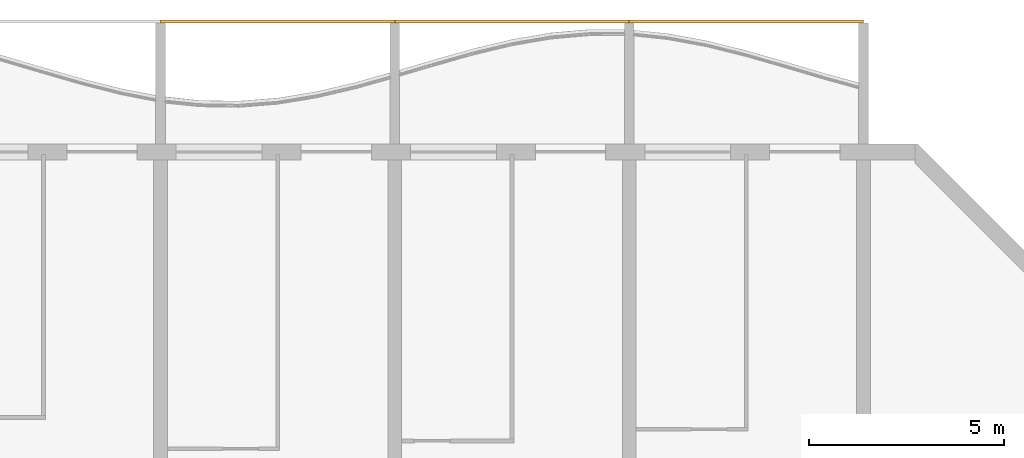
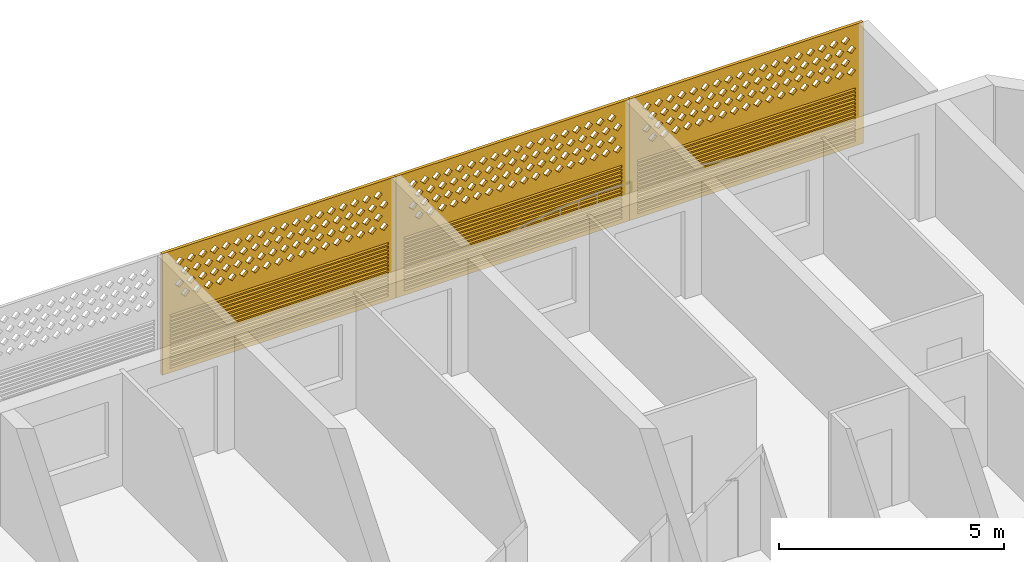
# One storey, part 26 of 26: 3 coverings.
"""IFC4 building model written with IfcOpenShell, lengths in metres."""

import ifcopenshell
import ifcopenshell.guid

model = None  # the IFC model being written
_history = None  # IfcOwnerHistory: only IFC2X3 demands one
_inside = {}  # id of a spatial element -> (the spatial element, [elements in it])
_under = {}  # id of a project, library or spatial element -> (it, [spatial elements below it])
_declared = {}  # id of a project -> (the project, [libraries it declares])
_typed = {}  # id of a type object -> (the type object, [elements of that type])
_made_of = {}  # id of a material, layer set ... -> (it, [elements and type objects made of it])


def new_model(schema):
    """Start an empty IFC model of exactly this schema.

    Asked for "IFC4X3", IfcOpenShell would pick the latest addendum, in which some entities
    have other attributes; the version numbers below select the first issue.
    IFC2X3 requires an IfcOwnerHistory on every rooted entity: one is made here for all.
    """
    global model, _history
    if schema == "IFC4X3":
        model = ifcopenshell.file(schema_version=(4, 3, 0, 0))
    else:
        model = ifcopenshell.file(schema=schema)
    _inside.clear()
    _under.clear()
    _declared.clear()
    _typed.clear()
    _made_of.clear()
    _history = None
    if model.schema == "IFC2X3":
        org = make("IfcOrganization", Name="unknown")
        user = make(
            "IfcPersonAndOrganization",
            ThePerson=make("IfcPerson", FamilyName="unknown"),
            TheOrganization=org,
        )
        app = make(
            "IfcApplication",
            ApplicationDeveloper=org,
            Version="unknown",
            ApplicationFullName="unknown",
            ApplicationIdentifier="unknown",
        )
        _history = make(
            "IfcOwnerHistory",
            OwningUser=user,
            OwningApplication=app,
            ChangeAction="ADDED",
            CreationDate=0,
        )
    return model


def make(cls, **values):
    """One entity of the class cls with the attributes given. An attribute that is None is left unset."""
    return model.create_entity(
        cls, **{name: value for name, value in values.items() if value is not None}
    )


def rooted(cls, **values):
    """An entity with a GlobalId (a new one), such as an element, a storey or a relation."""
    return make(cls, GlobalId=ifcopenshell.guid.new(), OwnerHistory=_history, **values)


def si_unit(unit_type, name, prefix=None):
    """IfcSIUnit, for example si_unit("LENGTHUNIT", "METRE", prefix="MILLI")."""
    return make("IfcSIUnit", UnitType=unit_type, Prefix=prefix, Name=name)


def assignment(units):
    """IfcUnitAssignment: the units of a project."""
    return None if units is None else make("IfcUnitAssignment", Units=units)


def point(xyz):
    """IfcCartesianPoint."""
    return None if xyz is None else make("IfcCartesianPoint", Coordinates=xyz)


def direction(xyz):
    """IfcDirection."""
    return None if xyz is None else make("IfcDirection", DirectionRatios=xyz)


def frame(location, z_axis=None, x_axis=None):
    """IfcAxis2Placement3D, a coordinate frame: its origin and axes. An axis left out is left unset."""
    return make(
        "IfcAxis2Placement3D",
        Location=point(location),
        Axis=direction(z_axis),
        RefDirection=direction(x_axis),
    )


def origin():
    """The frame at (0, 0, 0) with its axes left unset."""
    return frame((0.0, 0.0, 0.0))


def place(relative_to, where):
    """IfcLocalPlacement: puts the frame where relative to a parent placement (None: the world)."""
    return make(
        "IfcLocalPlacement", PlacementRelTo=relative_to, RelativePlacement=where
    )


def context(
    kind, dimensions, precision=None, world=None, true_north=None, identifier=None
):
    """IfcGeometricRepresentationContext, for example the 3D "Model" context."""
    return make(
        "IfcGeometricRepresentationContext",
        ContextIdentifier=identifier,
        ContextType=kind,
        CoordinateSpaceDimension=dimensions,
        Precision=precision,
        WorldCoordinateSystem=world,
        TrueNorth=true_north,
    )


def subcontext(parent, identifier, kind, view, scale=None):
    """IfcGeometricRepresentationSubContext, for example "Body" below "Model"."""
    return make(
        "IfcGeometricRepresentationSubContext",
        ContextIdentifier=identifier,
        ContextType=kind,
        ParentContext=parent,
        TargetScale=scale,
        TargetView=view,
    )


def project(units=None, contexts=None):
    """IfcProject with its units and contexts."""
    return rooted(
        "IfcProject",
        Name="project",
        RepresentationContexts=contexts,
        UnitsInContext=assignment(units),
    )


def spatial(cls, under=None, at=None, **own):
    """A site, building, storey or space (cls), placed at a placement, below another one or the project."""
    s = rooted(cls, ObjectPlacement=at, **own)
    if under is not None:
        _under.setdefault(under.id(), (under, []))[1].append(s)
    return s


def polyline(points):
    """IfcPolyline through the points."""
    return make("IfcPolyline", Points=[point(p) for p in points])


def outline(outer, holes=None, kind="AREA"):
    """IfcArbitraryClosedProfileDef: a profile drawn as a closed curve; with holes, ...WithVoids."""
    if holes is None:
        return make("IfcArbitraryClosedProfileDef", ProfileType=kind, OuterCurve=outer)
    return make(
        "IfcArbitraryProfileDefWithVoids",
        ProfileType=kind,
        OuterCurve=outer,
        InnerCurves=holes,
    )


def extrude(swept, where, along, depth):
    """IfcExtrudedAreaSolid: the profile swept, set in the frame where, extruded along a direction by depth."""
    return make(
        "IfcExtrudedAreaSolid",
        SweptArea=swept,
        Position=where,
        ExtrudedDirection=direction(along),
        Depth=depth,
    )


def shape(context_of_items, identifier, shape_type, items):
    """IfcShapeRepresentation: the items that make up one representation, for example the "Body"."""
    return make(
        "IfcShapeRepresentation",
        ContextOfItems=context_of_items,
        RepresentationIdentifier=identifier,
        RepresentationType=shape_type,
        Items=items,
    )


def source(mapping_origin, context_of_items, identifier, shape_type, items):
    """IfcRepresentationMap: a shape defined once, which mapped items show again and again."""
    return make(
        "IfcRepresentationMap",
        MappingOrigin=mapping_origin,
        MappedRepresentation=shape(context_of_items, identifier, shape_type, items),
    )


def transform(
    local_origin,
    x_axis=None,
    y_axis=None,
    z_axis=None,
    scale=None,
    scale2=None,
    scale3=None,
    uniform=True,
):
    """IfcCartesianTransformationOperator3D, or its non-uniform kind. x_axis, y_axis, z_axis: its Axis1, 2, 3."""
    if uniform:
        return make(
            "IfcCartesianTransformationOperator3D",
            Axis1=direction(x_axis),
            Axis2=direction(y_axis),
            LocalOrigin=point(local_origin),
            Scale=scale,
            Axis3=direction(z_axis),
        )
    return make(
        "IfcCartesianTransformationOperator3DnonUniform",
        Axis1=direction(x_axis),
        Axis2=direction(y_axis),
        LocalOrigin=point(local_origin),
        Scale=scale,
        Axis3=direction(z_axis),
        Scale2=scale2,
        Scale3=scale3,
    )


def mapped(mapping_source, mapping_target):
    """IfcMappedItem: shows the shape of a source again, moved by a transform."""
    return make(
        "IfcMappedItem", MappingSource=mapping_source, MappingTarget=mapping_target
    )


def material(Name=None, Category=None):
    """IfcMaterial."""
    return make("IfcMaterial", Name=Name, Category=Category)


def material_profile(
    of_material, cross_section, Name=None, Category=None, Priority=None
):
    """IfcMaterialProfile: a cross section and its material."""
    return make(
        "IfcMaterialProfile",
        Name=Name,
        Material=of_material,
        Profile=cross_section,
        Priority=Priority,
        Category=Category,
    )


def profile_set(profiles, Name=None, composite=None):
    """IfcMaterialProfileSet."""
    return make(
        "IfcMaterialProfileSet",
        Name=Name,
        MaterialProfiles=profiles,
        CompositeProfile=composite,
    )


def made_of(thing, what):
    """Note that an element or type object is made of a material, layer set ...; save() writes the relation."""
    if what is not None:
        _made_of.setdefault(what.id(), (what, []))[1].append(thing)
    return thing


def type_object(cls, material=None, **own):
    """A type object (cls), such as IfcWallType, which elements share."""
    return made_of(rooted(cls, **own), material)


def element(
    cls,
    number,
    at=None,
    inside=None,
    cuts=None,
    type_object=None,
    material=None,
    context=None,
    identifier="Body",
    shape_type=None,
    held_by="IfcProductDefinitionShape",
    body=None,
    shapes=None,
    **own,
):
    """One element of the class cls, such as IfcWall. Its Tag is "e" and its number.

    at: its placement. inside: the storey or other place that contains it. cuts: it is an
    opening in that element (IfcRelVoidsElement). A single representation is given by context,
    identifier, shape_type and body (its items); several are given by shapes. held_by: the class
    of the entity that holds the representations. save() writes the other relations.
    """
    e = rooted(cls, Tag="e%d" % number, ObjectPlacement=at, **own)
    if body is not None:
        shapes = [shape(context, identifier, shape_type, body)]
    if shapes is not None:
        e.Representation = make(held_by, Representations=shapes)
    if inside is not None:
        _inside.setdefault(inside.id(), (inside, []))[1].append(e)
    if cuts is not None:
        rooted(
            "IfcRelVoidsElement", RelatingBuildingElement=cuts, RelatedOpeningElement=e
        )
    if type_object is not None:
        _typed.setdefault(type_object.id(), (type_object, []))[1].append(e)
    return made_of(e, material)


def aggregate(whole, parts):
    """IfcRelAggregates: a whole, such as a stair, and the parts it consists of."""
    return rooted("IfcRelAggregates", RelatingObject=whole, RelatedObjects=parts)


def save(model, path):
    """Write the relations noted so far, then the file.

    IfcRelAggregates (storeys below a building ...), IfcRelContainedInSpatialStructure (elements
    in a storey), IfcRelDefinesByType, IfcRelAssociatesMaterial and IfcRelDeclares: one each for
    every whole, place, type object, material and project.
    """
    for whole, parts in _under.values():
        aggregate(whole, parts)
    for where, things in _inside.values():
        rooted(
            "IfcRelContainedInSpatialStructure",
            RelatedElements=things,
            RelatingStructure=where,
        )
    for kind, things in _typed.values():
        rooted("IfcRelDefinesByType", RelatedObjects=things, RelatingType=kind)
    for what, things in _made_of.values():
        rooted("IfcRelAssociatesMaterial", RelatedObjects=things, RelatingMaterial=what)
    for by, libraries in _declared.values():
        rooted("IfcRelDeclares", RelatingContext=by, RelatedDefinitions=libraries)
    model.write(path)


model = new_model("IFC4")

# Units and contexts
model_context = context("Model", 3, precision=1e-05, world=origin(), true_north=direction((0.0, 1.0)))
body_context = subcontext(model_context, "Body", "Model", "MODEL_VIEW")
ifc_project = project(units=[si_unit("LENGTHUNIT", "METRE"), si_unit("AREAUNIT", "SQUARE_METRE"), si_unit("VOLUMEUNIT", "CUBIC_METRE"), si_unit("PLANEANGLEUNIT", "RADIAN"), si_unit("MASSUNIT", "GRAM", prefix="KILO")], contexts=[model_context])

# Site, building, storey
site_placement = place(None, origin())
site = spatial("IfcSite", under=ifc_project, at=site_placement, CompositionType="ELEMENT")
building_placement = place(site_placement, origin())
building = spatial("IfcBuilding", under=site, at=building_placement, Name="Poui Terraces", CompositionType="ELEMENT")
storey_placement = place(building_placement, frame((0.0, 0.0, 96.0)))
storey = spatial("IfcBuildingStorey", under=building, at=storey_placement, Name="L26", CompositionType="ELEMENT", Elevation=96.0)

# Coverings
ifc_material = material(Name="Terracotta screen", Category="masonry")
ifc_material_profile = material_profile(ifc_material, outline(polyline([(-3.0, -1.64990234375), (3.0, -1.64990234375), (3.0, 1.64990234375), (-3.0, 1.64990234375), (-3.0, -1.64990234375)]), holes=[polyline([(-2.800048828125, 0.39990234375), (-2.68994140625, 0.2900390625), (-2.580078125, 0.39990234375), (-2.68994140625, 0.510009765625), (-2.800048828125, 0.39990234375)]), polyline([(-2.5, 0.39990234375), (-2.389892578125, 0.2900390625), (-2.280029296875, 0.39990234375), (-2.389892578125, 0.510009765625), (-2.5, 0.39990234375)]), polyline([(-2.199951171875, 0.39990234375), (-2.090087890625, 0.2900390625), (-1.97998046875, 0.39990234375), (-2.090087890625, 0.510009765625), (-2.199951171875, 0.39990234375)]), polyline([(-1.89990234375, 0.39990234375), (-1.7900390625, 0.2900390625), (-1.679931640625, 0.39990234375), (-1.7900390625, 0.510009765625), (-1.89990234375, 0.39990234375)]), polyline([(-1.60009765625, 0.39990234375), (-1.489990234375, 0.2900390625), (-1.3798828125, 0.39990234375), (-1.489990234375, 0.510009765625), (-1.60009765625, 0.39990234375)]), polyline([(-1.300048828125, 0.39990234375), (-1.18994140625, 0.2900390625), (-1.080078125, 0.39990234375), (-1.18994140625, 0.510009765625), (-1.300048828125, 0.39990234375)]), polyline([(-1.0, 0.39990234375), (-0.889892578125, 0.2900390625), (-0.780029296875, 0.39990234375), (-0.889892578125, 0.510009765625), (-1.0, 0.39990234375)]), polyline([(-0.699951171875, 0.39990234375), (-0.590087890625, 0.2900390625), (-0.47998046875, 0.39990234375), (-0.590087890625, 0.510009765625), (-0.699951171875, 0.39990234375)]), polyline([(-0.39990234375, 0.39990234375), (-0.2900390625, 0.2900390625), (-0.179931640625, 0.39990234375), (-0.2900390625, 0.510009765625), (-0.39990234375, 0.39990234375)]), polyline([(-0.10009765625, 0.39990234375), (0.010009765625, 0.2900390625), (0.1201171875, 0.39990234375), (0.010009765625, 0.510009765625), (-0.10009765625, 0.39990234375)]), polyline([(0.199951171875, 0.39990234375), (0.31005859375, 0.2900390625), (0.419921875, 0.39990234375), (0.31005859375, 0.510009765625), (0.199951171875, 0.39990234375)]), polyline([(0.5, 0.39990234375), (0.610107421875, 0.2900390625), (0.719970703125, 0.39990234375), (0.610107421875, 0.510009765625), (0.5, 0.39990234375)]), polyline([(0.800048828125, 0.39990234375), (0.909912109375, 0.2900390625), (1.02001953125, 0.39990234375), (0.909912109375, 0.510009765625), (0.800048828125, 0.39990234375)]), polyline([(1.10009765625, 0.39990234375), (1.2099609375, 0.2900390625), (1.320068359375, 0.39990234375), (1.2099609375, 0.510009765625), (1.10009765625, 0.39990234375)]), polyline([(1.39990234375, 0.39990234375), (1.510009765625, 0.2900390625), (1.6201171875, 0.39990234375), (1.510009765625, 0.510009765625), (1.39990234375, 0.39990234375)]), polyline([(1.699951171875, 0.39990234375), (1.81005859375, 0.2900390625), (1.919921875, 0.39990234375), (1.81005859375, 0.510009765625), (1.699951171875, 0.39990234375)]), polyline([(2.0, 0.39990234375), (2.110107421875, 0.2900390625), (2.219970703125, 0.39990234375), (2.110107421875, 0.510009765625), (2.0, 0.39990234375)]), polyline([(2.300048828125, 0.39990234375), (2.409912109375, 0.2900390625), (2.52001953125, 0.39990234375), (2.409912109375, 0.510009765625), (2.300048828125, 0.39990234375)]), polyline([(-2.64990234375, 0.699951171875), (-2.5400390625, 0.590087890625), (-2.429931640625, 0.699951171875), (-2.5400390625, 0.81005859375), (-2.64990234375, 0.699951171875)]), polyline([(-2.35009765625, 0.699951171875), (-2.239990234375, 0.590087890625), (-2.1298828125, 0.699951171875), (-2.239990234375, 0.81005859375), (-2.35009765625, 0.699951171875)]), polyline([(-2.050048828125, 0.699951171875), (-1.93994140625, 0.590087890625), (-1.830078125, 0.699951171875), (-1.93994140625, 0.81005859375), (-2.050048828125, 0.699951171875)]), polyline([(-1.75, 0.699951171875), (-1.639892578125, 0.590087890625), (-1.530029296875, 0.699951171875), (-1.639892578125, 0.81005859375), (-1.75, 0.699951171875)]), polyline([(-1.449951171875, 0.699951171875), (-1.340087890625, 0.590087890625), (-1.22998046875, 0.699951171875), (-1.340087890625, 0.81005859375), (-1.449951171875, 0.699951171875)]), polyline([(-1.14990234375, 0.699951171875), (-1.0400390625, 0.590087890625), (-0.929931640625, 0.699951171875), (-1.0400390625, 0.81005859375), (-1.14990234375, 0.699951171875)]), polyline([(-0.85009765625, 0.699951171875), (-0.739990234375, 0.590087890625), (-0.6298828125, 0.699951171875), (-0.739990234375, 0.81005859375), (-0.85009765625, 0.699951171875)]), polyline([(-0.550048828125, 0.699951171875), (-0.43994140625, 0.590087890625), (-0.330078125, 0.699951171875), (-0.43994140625, 0.81005859375), (-0.550048828125, 0.699951171875)]), polyline([(-0.25, 0.699951171875), (-0.139892578125, 0.590087890625), (-0.030029296875, 0.699951171875), (-0.139892578125, 0.81005859375), (-0.25, 0.699951171875)]), polyline([(0.050048828125, 0.699951171875), (0.159912109375, 0.590087890625), (0.27001953125, 0.699951171875), (0.159912109375, 0.81005859375), (0.050048828125, 0.699951171875)]), polyline([(0.35009765625, 0.699951171875), (0.4599609375, 0.590087890625), (0.570068359375, 0.699951171875), (0.4599609375, 0.81005859375), (0.35009765625, 0.699951171875)]), polyline([(0.64990234375, 0.699951171875), (0.760009765625, 0.590087890625), (0.8701171875, 0.699951171875), (0.760009765625, 0.81005859375), (0.64990234375, 0.699951171875)]), polyline([(0.949951171875, 0.699951171875), (1.06005859375, 0.590087890625), (1.169921875, 0.699951171875), (1.06005859375, 0.81005859375), (0.949951171875, 0.699951171875)]), polyline([(1.25, 0.699951171875), (1.360107421875, 0.590087890625), (1.469970703125, 0.699951171875), (1.360107421875, 0.81005859375), (1.25, 0.699951171875)]), polyline([(1.550048828125, 0.699951171875), (1.659912109375, 0.590087890625), (1.77001953125, 0.699951171875), (1.659912109375, 0.81005859375), (1.550048828125, 0.699951171875)]), polyline([(1.85009765625, 0.699951171875), (1.9599609375, 0.590087890625), (2.070068359375, 0.699951171875), (1.9599609375, 0.81005859375), (1.85009765625, 0.699951171875)]), polyline([(2.14990234375, 0.699951171875), (2.260009765625, 0.590087890625), (2.3701171875, 0.699951171875), (2.260009765625, 0.81005859375), (2.14990234375, 0.699951171875)]), polyline([(2.449951171875, 0.699951171875), (2.56005859375, 0.590087890625), (2.669921875, 0.699951171875), (2.56005859375, 0.81005859375), (2.449951171875, 0.699951171875)]), polyline([(-2.800048828125, 1.0), (-2.68994140625, 0.889892578125), (-2.580078125, 1.0), (-2.68994140625, 1.110107421875), (-2.800048828125, 1.0)]), polyline([(-2.5, 1.0), (-2.389892578125, 0.889892578125), (-2.280029296875, 1.0), (-2.389892578125, 1.110107421875), (-2.5, 1.0)]), polyline([(-2.199951171875, 1.0), (-2.090087890625, 0.889892578125), (-1.97998046875, 1.0), (-2.090087890625, 1.110107421875), (-2.199951171875, 1.0)]), polyline([(-1.89990234375, 1.0), (-1.7900390625, 0.889892578125), (-1.679931640625, 1.0), (-1.7900390625, 1.110107421875), (-1.89990234375, 1.0)]), polyline([(-1.60009765625, 1.0), (-1.489990234375, 0.889892578125), (-1.3798828125, 1.0), (-1.489990234375, 1.110107421875), (-1.60009765625, 1.0)]), polyline([(-1.300048828125, 1.0), (-1.18994140625, 0.889892578125), (-1.080078125, 1.0), (-1.18994140625, 1.110107421875), (-1.300048828125, 1.0)]), polyline([(-1.0, 1.0), (-0.889892578125, 0.889892578125), (-0.780029296875, 1.0), (-0.889892578125, 1.110107421875), (-1.0, 1.0)]), polyline([(-0.699951171875, 1.0), (-0.590087890625, 0.889892578125), (-0.47998046875, 1.0), (-0.590087890625, 1.110107421875), (-0.699951171875, 1.0)]), polyline([(-0.39990234375, 1.0), (-0.2900390625, 0.889892578125), (-0.179931640625, 1.0), (-0.2900390625, 1.110107421875), (-0.39990234375, 1.0)]), polyline([(-0.10009765625, 1.0), (0.010009765625, 0.889892578125), (0.1201171875, 1.0), (0.010009765625, 1.110107421875), (-0.10009765625, 1.0)]), polyline([(0.199951171875, 1.0), (0.31005859375, 0.889892578125), (0.419921875, 1.0), (0.31005859375, 1.110107421875), (0.199951171875, 1.0)]), polyline([(0.5, 1.0), (0.610107421875, 0.889892578125), (0.719970703125, 1.0), (0.610107421875, 1.110107421875), (0.5, 1.0)]), polyline([(0.800048828125, 1.0), (0.909912109375, 0.889892578125), (1.02001953125, 1.0), (0.909912109375, 1.110107421875), (0.800048828125, 1.0)]), polyline([(1.10009765625, 1.0), (1.2099609375, 0.889892578125), (1.320068359375, 1.0), (1.2099609375, 1.110107421875), (1.10009765625, 1.0)]), polyline([(1.39990234375, 1.0), (1.510009765625, 0.889892578125), (1.6201171875, 1.0), (1.510009765625, 1.110107421875), (1.39990234375, 1.0)]), polyline([(1.699951171875, 1.0), (1.81005859375, 0.889892578125), (1.919921875, 1.0), (1.81005859375, 1.110107421875), (1.699951171875, 1.0)]), polyline([(2.0, 1.0), (2.110107421875, 0.889892578125), (2.219970703125, 1.0), (2.110107421875, 1.110107421875), (2.0, 1.0)]), polyline([(2.300048828125, 1.0), (2.409912109375, 0.889892578125), (2.52001953125, 1.0), (2.409912109375, 1.110107421875), (2.300048828125, 1.0)]), polyline([(-2.64990234375, 1.300048828125), (-2.5400390625, 1.18994140625), (-2.429931640625, 1.300048828125), (-2.5400390625, 1.409912109375), (-2.64990234375, 1.300048828125)]), polyline([(-2.35009765625, 1.300048828125), (-2.239990234375, 1.18994140625), (-2.1298828125, 1.300048828125), (-2.239990234375, 1.409912109375), (-2.35009765625, 1.300048828125)]), polyline([(-2.050048828125, 1.300048828125), (-1.93994140625, 1.18994140625), (-1.830078125, 1.300048828125), (-1.93994140625, 1.409912109375), (-2.050048828125, 1.300048828125)]), polyline([(-1.75, 1.300048828125), (-1.639892578125, 1.18994140625), (-1.530029296875, 1.300048828125), (-1.639892578125, 1.409912109375), (-1.75, 1.300048828125)]), polyline([(-1.449951171875, 1.300048828125), (-1.340087890625, 1.18994140625), (-1.22998046875, 1.300048828125), (-1.340087890625, 1.409912109375), (-1.449951171875, 1.300048828125)]), polyline([(-1.14990234375, 1.300048828125), (-1.0400390625, 1.18994140625), (-0.929931640625, 1.300048828125), (-1.0400390625, 1.409912109375), (-1.14990234375, 1.300048828125)]), polyline([(-0.85009765625, 1.300048828125), (-0.739990234375, 1.18994140625), (-0.6298828125, 1.300048828125), (-0.739990234375, 1.409912109375), (-0.85009765625, 1.300048828125)]), polyline([(-0.550048828125, 1.300048828125), (-0.43994140625, 1.18994140625), (-0.330078125, 1.300048828125), (-0.43994140625, 1.409912109375), (-0.550048828125, 1.300048828125)]), polyline([(-0.25, 1.300048828125), (-0.139892578125, 1.18994140625), (-0.030029296875, 1.300048828125), (-0.139892578125, 1.409912109375), (-0.25, 1.300048828125)]), polyline([(0.050048828125, 1.300048828125), (0.159912109375, 1.18994140625), (0.27001953125, 1.300048828125), (0.159912109375, 1.409912109375), (0.050048828125, 1.300048828125)]), polyline([(0.35009765625, 1.300048828125), (0.4599609375, 1.18994140625), (0.570068359375, 1.300048828125), (0.4599609375, 1.409912109375), (0.35009765625, 1.300048828125)]), polyline([(0.64990234375, 1.300048828125), (0.760009765625, 1.18994140625), (0.8701171875, 1.300048828125), (0.760009765625, 1.409912109375), (0.64990234375, 1.300048828125)]), polyline([(0.949951171875, 1.300048828125), (1.06005859375, 1.18994140625), (1.169921875, 1.300048828125), (1.06005859375, 1.409912109375), (0.949951171875, 1.300048828125)]), polyline([(1.25, 1.300048828125), (1.360107421875, 1.18994140625), (1.469970703125, 1.300048828125), (1.360107421875, 1.409912109375), (1.25, 1.300048828125)]), polyline([(1.550048828125, 1.300048828125), (1.659912109375, 1.18994140625), (1.77001953125, 1.300048828125), (1.659912109375, 1.409912109375), (1.550048828125, 1.300048828125)]), polyline([(1.85009765625, 1.300048828125), (1.9599609375, 1.18994140625), (2.070068359375, 1.300048828125), (1.9599609375, 1.409912109375), (1.85009765625, 1.300048828125)]), polyline([(2.14990234375, 1.300048828125), (2.260009765625, 1.18994140625), (2.3701171875, 1.300048828125), (2.260009765625, 1.409912109375), (2.14990234375, 1.300048828125)]), polyline([(2.449951171875, 1.300048828125), (2.56005859375, 1.18994140625), (2.669921875, 1.300048828125), (2.56005859375, 1.409912109375), (2.449951171875, 1.300048828125)]), polyline([(-2.800048828125, -1.530029296875), (2.800048828125, -1.530029296875), (2.800048828125, -1.469970703125), (-2.800048828125, -1.469970703125), (-2.800048828125, -1.530029296875)]), polyline([(-2.800048828125, -1.429931640625), (2.800048828125, -1.429931640625), (2.800048828125, -1.3701171875), (-2.800048828125, -1.3701171875), (-2.800048828125, -1.429931640625)]), polyline([(-2.800048828125, -1.330078125), (2.800048828125, -1.330078125), (2.800048828125, -1.27001953125), (-2.800048828125, -1.27001953125), (-2.800048828125, -1.330078125)]), polyline([(-2.800048828125, -1.22998046875), (2.800048828125, -1.22998046875), (2.800048828125, -1.169921875), (-2.800048828125, -1.169921875), (-2.800048828125, -1.22998046875)]), polyline([(-2.800048828125, -1.1298828125), (2.800048828125, -1.1298828125), (2.800048828125, -1.070068359375), (-2.800048828125, -1.070068359375), (-2.800048828125, -1.1298828125)]), polyline([(-2.800048828125, -1.030029296875), (2.800048828125, -1.030029296875), (2.800048828125, -0.969970703125), (-2.800048828125, -0.969970703125), (-2.800048828125, -1.030029296875)]), polyline([(-2.800048828125, -0.929931640625), (2.800048828125, -0.929931640625), (2.800048828125, -0.8701171875), (-2.800048828125, -0.8701171875), (-2.800048828125, -0.929931640625)]), polyline([(-2.800048828125, -0.830078125), (2.800048828125, -0.830078125), (2.800048828125, -0.77001953125), (-2.800048828125, -0.77001953125), (-2.800048828125, -0.830078125)]), polyline([(-2.800048828125, -0.72998046875), (2.800048828125, -0.72998046875), (2.800048828125, -0.669921875), (-2.800048828125, -0.669921875), (-2.800048828125, -0.72998046875)]), polyline([(-2.800048828125, -0.6298828125), (2.800048828125, -0.6298828125), (2.800048828125, -0.570068359375), (-2.800048828125, -0.570068359375), (-2.800048828125, -0.6298828125)]), polyline([(-2.800048828125, -0.530029296875), (2.800048828125, -0.530029296875), (2.800048828125, -0.469970703125), (-2.800048828125, -0.469970703125), (-2.800048828125, -0.530029296875)]), polyline([(-2.800048828125, -0.429931640625), (2.800048828125, -0.429931640625), (2.800048828125, -0.3701171875), (-2.800048828125, -0.3701171875), (-2.800048828125, -0.429931640625)]), polyline([(-2.800048828125, -0.330078125), (2.800048828125, -0.330078125), (2.800048828125, -0.27001953125), (-2.800048828125, -0.27001953125), (-2.800048828125, -0.330078125)]), polyline([(-2.800048828125, -0.22998046875), (2.800048828125, -0.22998046875), (2.800048828125, -0.169921875), (-2.800048828125, -0.169921875), (-2.800048828125, -0.22998046875)]), polyline([(-2.800048828125, -0.1298828125), (2.800048828125, -0.1298828125), (2.800048828125, -0.070068359375), (-2.800048828125, -0.070068359375), (-2.800048828125, -0.1298828125)])]), Name="TERRACOTTA SCREEN AND JALOUSIE LOUVRE 6000X3300")
ifc_profile_set = profile_set([ifc_material_profile], Name="Terracotta screen")
covering_type = type_object("IfcCoveringType", Name="TERRACOTTA SCREEN AND JALOUSIE LOUVRE 6000X3300", PredefinedType="CLADDING", material=ifc_profile_set)
shared_shape = source(origin(), body_context, "Body", "SweptSolid", [
    extrude(outline(polyline([(-3.0, -1.64990234375), (3.0, -1.64990234375), (3.0, 1.64990234375), (-3.0, 1.64990234375), (-3.0, -1.64990234375)]), holes=[polyline([(-2.800048828125, 0.39990234375), (-2.68994140625, 0.2900390625), (-2.580078125, 0.39990234375), (-2.68994140625, 0.510009765625), (-2.800048828125, 0.39990234375)]), polyline([(-2.5, 0.39990234375), (-2.389892578125, 0.2900390625), (-2.280029296875, 0.39990234375), (-2.389892578125, 0.510009765625), (-2.5, 0.39990234375)]), polyline([(-2.199951171875, 0.39990234375), (-2.090087890625, 0.2900390625), (-1.97998046875, 0.39990234375), (-2.090087890625, 0.510009765625), (-2.199951171875, 0.39990234375)]), polyline([(-1.89990234375, 0.39990234375), (-1.7900390625, 0.2900390625), (-1.679931640625, 0.39990234375), (-1.7900390625, 0.510009765625), (-1.89990234375, 0.39990234375)]), polyline([(-1.60009765625, 0.39990234375), (-1.489990234375, 0.2900390625), (-1.3798828125, 0.39990234375), (-1.489990234375, 0.510009765625), (-1.60009765625, 0.39990234375)]), polyline([(-1.300048828125, 0.39990234375), (-1.18994140625, 0.2900390625), (-1.080078125, 0.39990234375), (-1.18994140625, 0.510009765625), (-1.300048828125, 0.39990234375)]), polyline([(-1.0, 0.39990234375), (-0.889892578125, 0.2900390625), (-0.780029296875, 0.39990234375), (-0.889892578125, 0.510009765625), (-1.0, 0.39990234375)]), polyline([(-0.699951171875, 0.39990234375), (-0.590087890625, 0.2900390625), (-0.47998046875, 0.39990234375), (-0.590087890625, 0.510009765625), (-0.699951171875, 0.39990234375)]), polyline([(-0.39990234375, 0.39990234375), (-0.2900390625, 0.2900390625), (-0.179931640625, 0.39990234375), (-0.2900390625, 0.510009765625), (-0.39990234375, 0.39990234375)]), polyline([(-0.10009765625, 0.39990234375), (0.010009765625, 0.2900390625), (0.1201171875, 0.39990234375), (0.010009765625, 0.510009765625), (-0.10009765625, 0.39990234375)]), polyline([(0.199951171875, 0.39990234375), (0.31005859375, 0.2900390625), (0.419921875, 0.39990234375), (0.31005859375, 0.510009765625), (0.199951171875, 0.39990234375)]), polyline([(0.5, 0.39990234375), (0.610107421875, 0.2900390625), (0.719970703125, 0.39990234375), (0.610107421875, 0.510009765625), (0.5, 0.39990234375)]), polyline([(0.800048828125, 0.39990234375), (0.909912109375, 0.2900390625), (1.02001953125, 0.39990234375), (0.909912109375, 0.510009765625), (0.800048828125, 0.39990234375)]), polyline([(1.10009765625, 0.39990234375), (1.2099609375, 0.2900390625), (1.320068359375, 0.39990234375), (1.2099609375, 0.510009765625), (1.10009765625, 0.39990234375)]), polyline([(1.39990234375, 0.39990234375), (1.510009765625, 0.2900390625), (1.6201171875, 0.39990234375), (1.510009765625, 0.510009765625), (1.39990234375, 0.39990234375)]), polyline([(1.699951171875, 0.39990234375), (1.81005859375, 0.2900390625), (1.919921875, 0.39990234375), (1.81005859375, 0.510009765625), (1.699951171875, 0.39990234375)]), polyline([(2.0, 0.39990234375), (2.110107421875, 0.2900390625), (2.219970703125, 0.39990234375), (2.110107421875, 0.510009765625), (2.0, 0.39990234375)]), polyline([(2.300048828125, 0.39990234375), (2.409912109375, 0.2900390625), (2.52001953125, 0.39990234375), (2.409912109375, 0.510009765625), (2.300048828125, 0.39990234375)]), polyline([(-2.64990234375, 0.699951171875), (-2.5400390625, 0.590087890625), (-2.429931640625, 0.699951171875), (-2.5400390625, 0.81005859375), (-2.64990234375, 0.699951171875)]), polyline([(-2.35009765625, 0.699951171875), (-2.239990234375, 0.590087890625), (-2.1298828125, 0.699951171875), (-2.239990234375, 0.81005859375), (-2.35009765625, 0.699951171875)]), polyline([(-2.050048828125, 0.699951171875), (-1.93994140625, 0.590087890625), (-1.830078125, 0.699951171875), (-1.93994140625, 0.81005859375), (-2.050048828125, 0.699951171875)]), polyline([(-1.75, 0.699951171875), (-1.639892578125, 0.590087890625), (-1.530029296875, 0.699951171875), (-1.639892578125, 0.81005859375), (-1.75, 0.699951171875)]), polyline([(-1.449951171875, 0.699951171875), (-1.340087890625, 0.590087890625), (-1.22998046875, 0.699951171875), (-1.340087890625, 0.81005859375), (-1.449951171875, 0.699951171875)]), polyline([(-1.14990234375, 0.699951171875), (-1.0400390625, 0.590087890625), (-0.929931640625, 0.699951171875), (-1.0400390625, 0.81005859375), (-1.14990234375, 0.699951171875)]), polyline([(-0.85009765625, 0.699951171875), (-0.739990234375, 0.590087890625), (-0.6298828125, 0.699951171875), (-0.739990234375, 0.81005859375), (-0.85009765625, 0.699951171875)]), polyline([(-0.550048828125, 0.699951171875), (-0.43994140625, 0.590087890625), (-0.330078125, 0.699951171875), (-0.43994140625, 0.81005859375), (-0.550048828125, 0.699951171875)]), polyline([(-0.25, 0.699951171875), (-0.139892578125, 0.590087890625), (-0.030029296875, 0.699951171875), (-0.139892578125, 0.81005859375), (-0.25, 0.699951171875)]), polyline([(0.050048828125, 0.699951171875), (0.159912109375, 0.590087890625), (0.27001953125, 0.699951171875), (0.159912109375, 0.81005859375), (0.050048828125, 0.699951171875)]), polyline([(0.35009765625, 0.699951171875), (0.4599609375, 0.590087890625), (0.570068359375, 0.699951171875), (0.4599609375, 0.81005859375), (0.35009765625, 0.699951171875)]), polyline([(0.64990234375, 0.699951171875), (0.760009765625, 0.590087890625), (0.8701171875, 0.699951171875), (0.760009765625, 0.81005859375), (0.64990234375, 0.699951171875)]), polyline([(0.949951171875, 0.699951171875), (1.06005859375, 0.590087890625), (1.169921875, 0.699951171875), (1.06005859375, 0.81005859375), (0.949951171875, 0.699951171875)]), polyline([(1.25, 0.699951171875), (1.360107421875, 0.590087890625), (1.469970703125, 0.699951171875), (1.360107421875, 0.81005859375), (1.25, 0.699951171875)]), polyline([(1.550048828125, 0.699951171875), (1.659912109375, 0.590087890625), (1.77001953125, 0.699951171875), (1.659912109375, 0.81005859375), (1.550048828125, 0.699951171875)]), polyline([(1.85009765625, 0.699951171875), (1.9599609375, 0.590087890625), (2.070068359375, 0.699951171875), (1.9599609375, 0.81005859375), (1.85009765625, 0.699951171875)]), polyline([(2.14990234375, 0.699951171875), (2.260009765625, 0.590087890625), (2.3701171875, 0.699951171875), (2.260009765625, 0.81005859375), (2.14990234375, 0.699951171875)]), polyline([(2.449951171875, 0.699951171875), (2.56005859375, 0.590087890625), (2.669921875, 0.699951171875), (2.56005859375, 0.81005859375), (2.449951171875, 0.699951171875)]), polyline([(-2.800048828125, 1.0), (-2.68994140625, 0.889892578125), (-2.580078125, 1.0), (-2.68994140625, 1.110107421875), (-2.800048828125, 1.0)]), polyline([(-2.5, 1.0), (-2.389892578125, 0.889892578125), (-2.280029296875, 1.0), (-2.389892578125, 1.110107421875), (-2.5, 1.0)]), polyline([(-2.199951171875, 1.0), (-2.090087890625, 0.889892578125), (-1.97998046875, 1.0), (-2.090087890625, 1.110107421875), (-2.199951171875, 1.0)]), polyline([(-1.89990234375, 1.0), (-1.7900390625, 0.889892578125), (-1.679931640625, 1.0), (-1.7900390625, 1.110107421875), (-1.89990234375, 1.0)]), polyline([(-1.60009765625, 1.0), (-1.489990234375, 0.889892578125), (-1.3798828125, 1.0), (-1.489990234375, 1.110107421875), (-1.60009765625, 1.0)]), polyline([(-1.300048828125, 1.0), (-1.18994140625, 0.889892578125), (-1.080078125, 1.0), (-1.18994140625, 1.110107421875), (-1.300048828125, 1.0)]), polyline([(-1.0, 1.0), (-0.889892578125, 0.889892578125), (-0.780029296875, 1.0), (-0.889892578125, 1.110107421875), (-1.0, 1.0)]), polyline([(-0.699951171875, 1.0), (-0.590087890625, 0.889892578125), (-0.47998046875, 1.0), (-0.590087890625, 1.110107421875), (-0.699951171875, 1.0)]), polyline([(-0.39990234375, 1.0), (-0.2900390625, 0.889892578125), (-0.179931640625, 1.0), (-0.2900390625, 1.110107421875), (-0.39990234375, 1.0)]), polyline([(-0.10009765625, 1.0), (0.010009765625, 0.889892578125), (0.1201171875, 1.0), (0.010009765625, 1.110107421875), (-0.10009765625, 1.0)]), polyline([(0.199951171875, 1.0), (0.31005859375, 0.889892578125), (0.419921875, 1.0), (0.31005859375, 1.110107421875), (0.199951171875, 1.0)]), polyline([(0.5, 1.0), (0.610107421875, 0.889892578125), (0.719970703125, 1.0), (0.610107421875, 1.110107421875), (0.5, 1.0)]), polyline([(0.800048828125, 1.0), (0.909912109375, 0.889892578125), (1.02001953125, 1.0), (0.909912109375, 1.110107421875), (0.800048828125, 1.0)]), polyline([(1.10009765625, 1.0), (1.2099609375, 0.889892578125), (1.320068359375, 1.0), (1.2099609375, 1.110107421875), (1.10009765625, 1.0)]), polyline([(1.39990234375, 1.0), (1.510009765625, 0.889892578125), (1.6201171875, 1.0), (1.510009765625, 1.110107421875), (1.39990234375, 1.0)]), polyline([(1.699951171875, 1.0), (1.81005859375, 0.889892578125), (1.919921875, 1.0), (1.81005859375, 1.110107421875), (1.699951171875, 1.0)]), polyline([(2.0, 1.0), (2.110107421875, 0.889892578125), (2.219970703125, 1.0), (2.110107421875, 1.110107421875), (2.0, 1.0)]), polyline([(2.300048828125, 1.0), (2.409912109375, 0.889892578125), (2.52001953125, 1.0), (2.409912109375, 1.110107421875), (2.300048828125, 1.0)]), polyline([(-2.64990234375, 1.300048828125), (-2.5400390625, 1.18994140625), (-2.429931640625, 1.300048828125), (-2.5400390625, 1.409912109375), (-2.64990234375, 1.300048828125)]), polyline([(-2.35009765625, 1.300048828125), (-2.239990234375, 1.18994140625), (-2.1298828125, 1.300048828125), (-2.239990234375, 1.409912109375), (-2.35009765625, 1.300048828125)]), polyline([(-2.050048828125, 1.300048828125), (-1.93994140625, 1.18994140625), (-1.830078125, 1.300048828125), (-1.93994140625, 1.409912109375), (-2.050048828125, 1.300048828125)]), polyline([(-1.75, 1.300048828125), (-1.639892578125, 1.18994140625), (-1.530029296875, 1.300048828125), (-1.639892578125, 1.409912109375), (-1.75, 1.300048828125)]), polyline([(-1.449951171875, 1.300048828125), (-1.340087890625, 1.18994140625), (-1.22998046875, 1.300048828125), (-1.340087890625, 1.409912109375), (-1.449951171875, 1.300048828125)]), polyline([(-1.14990234375, 1.300048828125), (-1.0400390625, 1.18994140625), (-0.929931640625, 1.300048828125), (-1.0400390625, 1.409912109375), (-1.14990234375, 1.300048828125)]), polyline([(-0.85009765625, 1.300048828125), (-0.739990234375, 1.18994140625), (-0.6298828125, 1.300048828125), (-0.739990234375, 1.409912109375), (-0.85009765625, 1.300048828125)]), polyline([(-0.550048828125, 1.300048828125), (-0.43994140625, 1.18994140625), (-0.330078125, 1.300048828125), (-0.43994140625, 1.409912109375), (-0.550048828125, 1.300048828125)]), polyline([(-0.25, 1.300048828125), (-0.139892578125, 1.18994140625), (-0.030029296875, 1.300048828125), (-0.139892578125, 1.409912109375), (-0.25, 1.300048828125)]), polyline([(0.050048828125, 1.300048828125), (0.159912109375, 1.18994140625), (0.27001953125, 1.300048828125), (0.159912109375, 1.409912109375), (0.050048828125, 1.300048828125)]), polyline([(0.35009765625, 1.300048828125), (0.4599609375, 1.18994140625), (0.570068359375, 1.300048828125), (0.4599609375, 1.409912109375), (0.35009765625, 1.300048828125)]), polyline([(0.64990234375, 1.300048828125), (0.760009765625, 1.18994140625), (0.8701171875, 1.300048828125), (0.760009765625, 1.409912109375), (0.64990234375, 1.300048828125)]), polyline([(0.949951171875, 1.300048828125), (1.06005859375, 1.18994140625), (1.169921875, 1.300048828125), (1.06005859375, 1.409912109375), (0.949951171875, 1.300048828125)]), polyline([(1.25, 1.300048828125), (1.360107421875, 1.18994140625), (1.469970703125, 1.300048828125), (1.360107421875, 1.409912109375), (1.25, 1.300048828125)]), polyline([(1.550048828125, 1.300048828125), (1.659912109375, 1.18994140625), (1.77001953125, 1.300048828125), (1.659912109375, 1.409912109375), (1.550048828125, 1.300048828125)]), polyline([(1.85009765625, 1.300048828125), (1.9599609375, 1.18994140625), (2.070068359375, 1.300048828125), (1.9599609375, 1.409912109375), (1.85009765625, 1.300048828125)]), polyline([(2.14990234375, 1.300048828125), (2.260009765625, 1.18994140625), (2.3701171875, 1.300048828125), (2.260009765625, 1.409912109375), (2.14990234375, 1.300048828125)]), polyline([(2.449951171875, 1.300048828125), (2.56005859375, 1.18994140625), (2.669921875, 1.300048828125), (2.56005859375, 1.409912109375), (2.449951171875, 1.300048828125)]), polyline([(-2.800048828125, -1.530029296875), (2.800048828125, -1.530029296875), (2.800048828125, -1.469970703125), (-2.800048828125, -1.469970703125), (-2.800048828125, -1.530029296875)]), polyline([(-2.800048828125, -1.429931640625), (2.800048828125, -1.429931640625), (2.800048828125, -1.3701171875), (-2.800048828125, -1.3701171875), (-2.800048828125, -1.429931640625)]), polyline([(-2.800048828125, -1.330078125), (2.800048828125, -1.330078125), (2.800048828125, -1.27001953125), (-2.800048828125, -1.27001953125), (-2.800048828125, -1.330078125)]), polyline([(-2.800048828125, -1.22998046875), (2.800048828125, -1.22998046875), (2.800048828125, -1.169921875), (-2.800048828125, -1.169921875), (-2.800048828125, -1.22998046875)]), polyline([(-2.800048828125, -1.1298828125), (2.800048828125, -1.1298828125), (2.800048828125, -1.070068359375), (-2.800048828125, -1.070068359375), (-2.800048828125, -1.1298828125)]), polyline([(-2.800048828125, -1.030029296875), (2.800048828125, -1.030029296875), (2.800048828125, -0.969970703125), (-2.800048828125, -0.969970703125), (-2.800048828125, -1.030029296875)]), polyline([(-2.800048828125, -0.929931640625), (2.800048828125, -0.929931640625), (2.800048828125, -0.8701171875), (-2.800048828125, -0.8701171875), (-2.800048828125, -0.929931640625)]), polyline([(-2.800048828125, -0.830078125), (2.800048828125, -0.830078125), (2.800048828125, -0.77001953125), (-2.800048828125, -0.77001953125), (-2.800048828125, -0.830078125)]), polyline([(-2.800048828125, -0.72998046875), (2.800048828125, -0.72998046875), (2.800048828125, -0.669921875), (-2.800048828125, -0.669921875), (-2.800048828125, -0.72998046875)]), polyline([(-2.800048828125, -0.6298828125), (2.800048828125, -0.6298828125), (2.800048828125, -0.570068359375), (-2.800048828125, -0.570068359375), (-2.800048828125, -0.6298828125)]), polyline([(-2.800048828125, -0.530029296875), (2.800048828125, -0.530029296875), (2.800048828125, -0.469970703125), (-2.800048828125, -0.469970703125), (-2.800048828125, -0.530029296875)]), polyline([(-2.800048828125, -0.429931640625), (2.800048828125, -0.429931640625), (2.800048828125, -0.3701171875), (-2.800048828125, -0.3701171875), (-2.800048828125, -0.429931640625)]), polyline([(-2.800048828125, -0.330078125), (2.800048828125, -0.330078125), (2.800048828125, -0.27001953125), (-2.800048828125, -0.27001953125), (-2.800048828125, -0.330078125)]), polyline([(-2.800048828125, -0.22998046875), (2.800048828125, -0.22998046875), (2.800048828125, -0.169921875), (-2.800048828125, -0.169921875), (-2.800048828125, -0.22998046875)]), polyline([(-2.800048828125, -0.1298828125), (2.800048828125, -0.1298828125), (2.800048828125, -0.070068359375), (-2.800048828125, -0.070068359375), (-2.800048828125, -0.1298828125)])]), origin(), (0.0, 0.0, 1.0), 0.080078125),
])
for number, where, z_axis, x_axis, name in (
    (1, (75.0, 46.89990234375, 1.449951171875), (0.0, 1.0, 0.0), (-1.0, 0.0, 0.0), "SOLAR SCREEN AND JALOUSIE LOUVRE"),
    (2, (81.0, 46.89990234375, 1.449951171875), (0.0, 1.0, 0.0), (-1.0, 0.0, 0.0), "SOLAR SCREEN AND JALOUSIE LOUVRE"),
    (3, (87.0, 46.89990234375, 1.449951171875), (0.0, 1.0, 0.0), (-1.0, 0.0, 0.0), "SOLAR SCREEN AND JALOUSIE LOUVRE"),
):
    element("IfcCovering", number, at=place(storey_placement, frame(where, z_axis=z_axis, x_axis=x_axis)), inside=storey, type_object=covering_type, Name=name, PredefinedType="CLADDING", context=body_context, shape_type="MappedRepresentation", body=[
        mapped(shared_shape, transform((0.0, 0.0, 0.0))),
    ])

save(model, "model.ifc")
